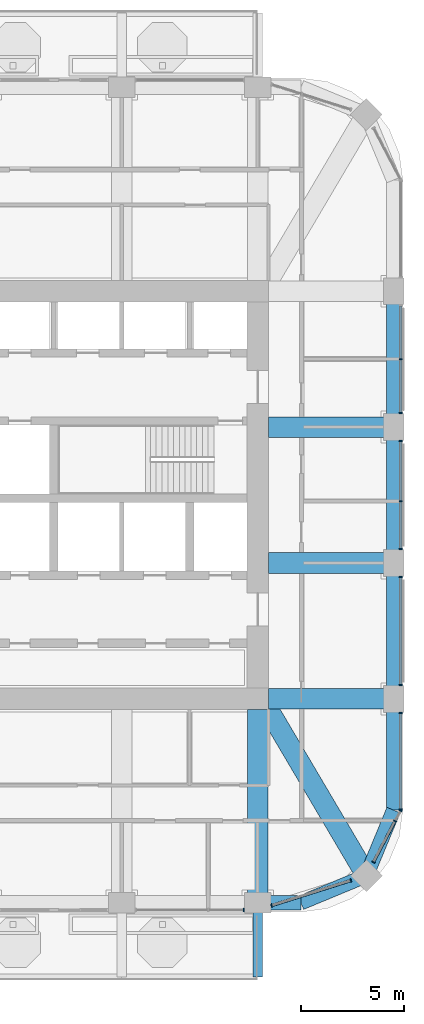
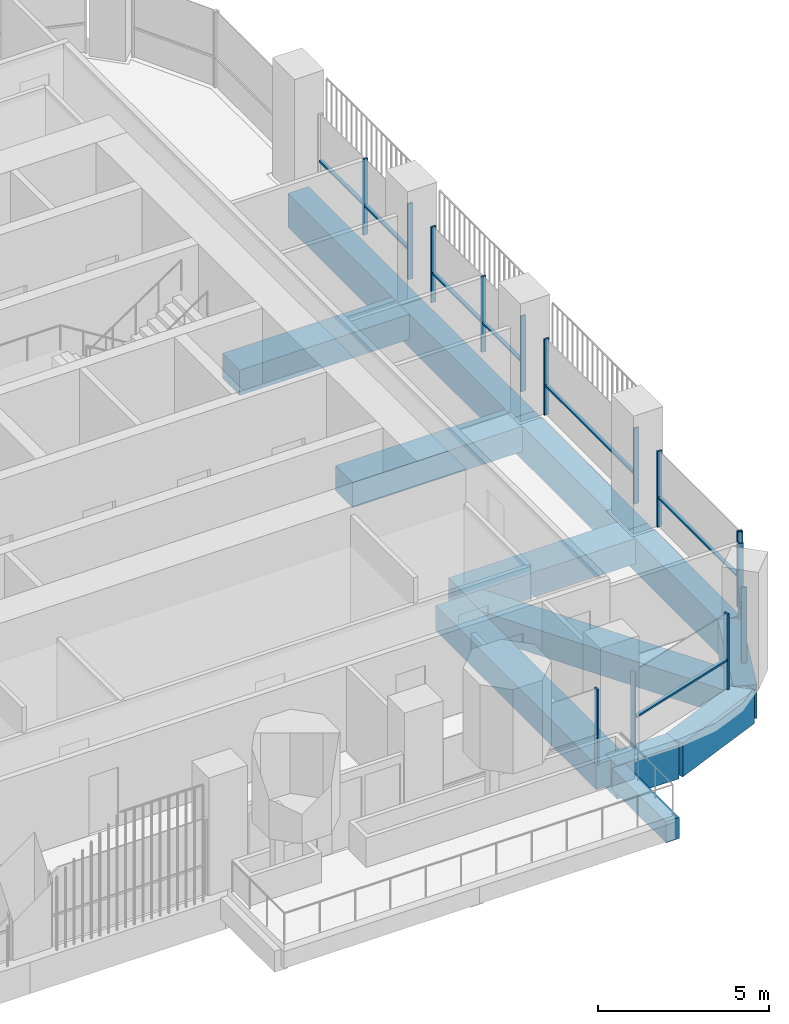
# One storey, part 5 of 20: 23 members, 13 beams, 7 elements without a shape of their own.
"""IFC4 building model written with IfcOpenShell, lengths in metres."""

from ifc_helpers import new_model, si_unit, direction, frame, origin, origin_2d, place, context, subcontext, project, spatial, rectangle, extrude, material, material_profile, profile_set, type_object, element, aggregate, save


model = new_model("IFC4")

# Units and contexts
model_context = context("Model", 3, precision=1e-05, world=origin(), true_north=direction((0.0, 1.0)))
body_context = subcontext(model_context, "Body", "Model", "MODEL_VIEW")
ifc_project = project(units=[si_unit("LENGTHUNIT", "METRE"), si_unit("AREAUNIT", "SQUARE_METRE"), si_unit("VOLUMEUNIT", "CUBIC_METRE"), si_unit("PLANEANGLEUNIT", "RADIAN"), si_unit("MASSUNIT", "GRAM", prefix="KILO")], contexts=[model_context])

# Site, building, storey
site_placement = place(None, origin())
site = spatial("IfcSite", under=ifc_project, at=site_placement, CompositionType="ELEMENT")
building_placement = place(site_placement, origin())
building = spatial("IfcBuilding", under=site, at=building_placement, Name="Cobogo Forest Laboratory Tower", CompositionType="ELEMENT")
storey_placement = place(building_placement, frame((0.0, 0.0, 233.39990234375)))
storey = spatial("IfcBuildingStorey", under=building, at=storey_placement, Name="L53", CompositionType="ELEMENT", Elevation=233.39990234375)

# Beam
ifc_material_1 = material(Name="Concrete HA-40 (C40/50)", Category="concrete")
ifc_material_profile_1 = material_profile(ifc_material_1, rectangle(XDim=0.449951171875, YDim=0.75, at=origin_2d()), Name="RC 450x750")
ifc_profile_set_1 = profile_set([ifc_material_profile_1], Name="Concrete HA-40 (C40/50)")
beam_type_1 = type_object("IfcBeamType", Name="Balcony cantilever beam 450x750", PredefinedType="BEAM", material=ifc_profile_set_1)
beam_1_placement = place(storey_placement, frame((39.60009765625, 2.85009765625, -0.625), z_axis=(0.0, -1.0, 0.0), x_axis=(1.0, 0.0, 0.0)))
element("IfcBeam", 1, at=beam_1_placement, inside=storey, type_object=beam_type_1, Name="CB1 BAL-S1-C3 L53", PredefinedType="BEAM", context=body_context, shape_type="SweptSolid", body=[
    extrude(rectangle(XDim=0.449951171875, YDim=0.75, at=origin_2d()), origin(), (0.0, 0.0, 1.0), 3.150146484375),
])

# Curtain wall, member
ifc_material_2 = material(Name="Aluminium curtain wall", Category="aluminium")
curtain_wall_type = type_object("IfcCurtainWallType", Name="CW-2 unitised curtain wall, solar control glazing, laboratory floors zones C and D", PredefinedType="USERDEFINED", material=ifc_material_2)
curtain_wall_1_placement = place(storey_placement, origin())
curtain_wall_1 = element("IfcCurtainWall", 2, at=curtain_wall_1_placement, inside=storey, type_object=curtain_wall_type, Name="Curtain wall 04 L53", ObjectType="UNITISED CURTAIN WALL", PredefinedType="USERDEFINED")
ifc_material_3 = material(Name="Aluminium mullion", Category="aluminium")
ifc_material_profile_2 = material_profile(ifc_material_3, rectangle(XDim=0.06005859375, YDim=0.159912109375, at=origin_2d()), Name="AL 60x160")
ifc_profile_set_2 = profile_set([ifc_material_profile_2], Name="Aluminium mullion")
member_type_1 = type_object("IfcMemberType", Name="MU-1 aluminium mullion 60x160", PredefinedType="MULLION", material=ifc_profile_set_2)
member_1_placement = place(storey_placement, frame((38.919921875, 2.949951171875, 0.0), z_axis=(0.0, 0.0, 1.0), x_axis=(1.0, 0.0, 0.0)))
member_1 = element("IfcMember", 3, at=member_1_placement, type_object=member_type_1, Name="CW-2 mullion 3", PredefinedType="MULLION", context=body_context, shape_type="SweptSolid", body=[
    extrude(rectangle(XDim=0.06005859375, YDim=0.159912109375, at=origin_2d()), origin(), (0.0, 0.0, 1.0), 2.7001953125),
])
aggregate(curtain_wall_1, [member_1])

# Curtain wall, members
curtain_wall_2_placement = place(storey_placement, origin())
curtain_wall_2 = element("IfcCurtainWall", 4, at=curtain_wall_2_placement, inside=storey, type_object=curtain_wall_type, Name="Curtain wall 05 L53", ObjectType="UNITISED CURTAIN WALL", PredefinedType="USERDEFINED")
member_2_placement = place(storey_placement, frame((40.278564453125, 3.164306640625, 0.0), z_axis=(0.0, 0.0, 1.0), x_axis=(0.953581331491, 0.301135591107, 0.0)))
member_2 = element("IfcMember", 5, at=member_2_placement, type_object=member_type_1, Name="CW-2 mullion 1", PredefinedType="MULLION", context=body_context, shape_type="SweptSolid", body=[
    extrude(rectangle(XDim=0.06005859375, YDim=0.159912109375, at=origin_2d()), origin(), (0.0, 0.0, 1.0), 2.7001953125),
])
member_3_placement = place(storey_placement, frame((44.12255859375, 4.378173828125, 0.0), z_axis=(0.0, 0.0, 1.0), x_axis=(0.953581331491, 0.301135591107, 0.0)))
member_3 = element("IfcMember", 6, at=member_3_placement, type_object=member_type_1, Name="CW-2 mullion 2", PredefinedType="MULLION", context=body_context, shape_type="SweptSolid", body=[
    extrude(rectangle(XDim=0.06005859375, YDim=0.159912109375, at=origin_2d()), origin(), (0.0, 0.0, 1.0), 2.7001953125),
])

curtain_wall_3_placement = place(storey_placement, origin())
curtain_wall_3 = element("IfcCurtainWall", 7, at=curtain_wall_3_placement, inside=storey, type_object=curtain_wall_type, Name="Curtain wall 06 L53", ObjectType="UNITISED CURTAIN WALL", PredefinedType="USERDEFINED")
member_4_placement = place(storey_placement, frame((45.2265625, 5.275634765625, 0.0), z_axis=(0.0, 0.0, 1.0), x_axis=(0.464283804832, 0.885686484356, 0.0)))
member_4 = element("IfcMember", 8, at=member_4_placement, type_object=member_type_1, Name="CW-2 mullion 1", PredefinedType="MULLION", context=body_context, shape_type="SweptSolid", body=[
    extrude(rectangle(XDim=0.06005859375, YDim=0.159912109375, at=origin_2d()), origin(), (0.0, 0.0, 1.0), 2.7001953125),
])
member_5_placement = place(storey_placement, frame((46.268310546875, 7.262939453125, 0.0), z_axis=(0.0, 0.0, 1.0), x_axis=(0.464283804832, 0.885686484356, 0.0)))
member_5 = element("IfcMember", 9, at=member_5_placement, type_object=member_type_1, Name="CW-2 mullion 2", PredefinedType="MULLION", context=body_context, shape_type="SweptSolid", body=[
    extrude(rectangle(XDim=0.06005859375, YDim=0.159912109375, at=origin_2d()), origin(), (0.0, 0.0, 1.0), 2.7001953125),
])
member_6_placement = place(storey_placement, frame((46.5361328125, 7.7734375, 0.0), z_axis=(0.0, 0.0, 1.0), x_axis=(0.464283804832, 0.885686484356, 0.0)))
member_6 = element("IfcMember", 10, at=member_6_placement, type_object=member_type_1, Name="CW-2 mullion 3", PredefinedType="MULLION", context=body_context, shape_type="SweptSolid", body=[
    extrude(rectangle(XDim=0.06005859375, YDim=0.159912109375, at=origin_2d()), origin(), (0.0, 0.0, 1.0), 2.7001953125),
])

curtain_wall_4_placement = place(storey_placement, origin())
curtain_wall_4 = element("IfcCurtainWall", 11, at=curtain_wall_4_placement, inside=storey, type_object=curtain_wall_type, Name="Curtain wall 07 L53", ObjectType="UNITISED CURTAIN WALL", PredefinedType="USERDEFINED")
member_7_placement = place(storey_placement, frame((46.550048828125, 7.830078125, 0.0), z_axis=(0.0, 0.0, 1.0), x_axis=(0.0, 1.0, 0.0)))
member_7 = element("IfcMember", 12, at=member_7_placement, type_object=member_type_1, Name="CW-2 mullion 1", PredefinedType="MULLION", context=body_context, shape_type="SweptSolid", body=[
    extrude(rectangle(XDim=0.06005859375, YDim=0.159912109375, at=origin_2d()), origin(), (0.0, 0.0, 1.0), 2.7001953125),
])
member_8_placement = place(storey_placement, frame((46.550048828125, 12.52001953125, 0.0), z_axis=(0.0, 0.0, 1.0), x_axis=(0.0, 1.0, 0.0)))
member_8 = element("IfcMember", 13, at=member_8_placement, type_object=member_type_1, Name="CW-2 mullion 2", PredefinedType="MULLION", context=body_context, shape_type="SweptSolid", body=[
    extrude(rectangle(XDim=0.06005859375, YDim=0.159912109375, at=origin_2d()), origin(), (0.0, 0.0, 1.0), 2.7001953125),
])

curtain_wall_5_placement = place(storey_placement, origin())
curtain_wall_5 = element("IfcCurtainWall", 14, at=curtain_wall_5_placement, inside=storey, type_object=curtain_wall_type, Name="Curtain wall 08 L53", ObjectType="UNITISED CURTAIN WALL", PredefinedType="USERDEFINED")
member_9_placement = place(storey_placement, frame((46.550048828125, 13.8798828125, 0.0), z_axis=(0.0, 0.0, 1.0), x_axis=(0.0, 1.0, 0.0)))
member_9 = element("IfcMember", 15, at=member_9_placement, type_object=member_type_1, Name="CW-2 mullion 1", PredefinedType="MULLION", context=body_context, shape_type="SweptSolid", body=[
    extrude(rectangle(XDim=0.06005859375, YDim=0.159912109375, at=origin_2d()), origin(), (0.0, 0.0, 1.0), 2.7001953125),
])
member_10_placement = place(storey_placement, frame((46.550048828125, 19.1201171875, 0.0), z_axis=(0.0, 0.0, 1.0), x_axis=(0.0, 1.0, 0.0)))
member_10 = element("IfcMember", 16, at=member_10_placement, type_object=member_type_1, Name="CW-2 mullion 2", PredefinedType="MULLION", context=body_context, shape_type="SweptSolid", body=[
    extrude(rectangle(XDim=0.06005859375, YDim=0.159912109375, at=origin_2d()), origin(), (0.0, 0.0, 1.0), 2.7001953125),
])

curtain_wall_6_placement = place(storey_placement, origin())
curtain_wall_6 = element("IfcCurtainWall", 17, at=curtain_wall_6_placement, inside=storey, type_object=curtain_wall_type, Name="Curtain wall 09 L53", ObjectType="UNITISED CURTAIN WALL", PredefinedType="USERDEFINED")
member_11_placement = place(storey_placement, frame((46.550048828125, 20.47998046875, 0.0), z_axis=(0.0, 0.0, 1.0), x_axis=(0.0, 1.0, 0.0)))
member_11 = element("IfcMember", 18, at=member_11_placement, type_object=member_type_1, Name="CW-2 mullion 1", PredefinedType="MULLION", context=body_context, shape_type="SweptSolid", body=[
    extrude(rectangle(XDim=0.06005859375, YDim=0.159912109375, at=origin_2d()), origin(), (0.0, 0.0, 1.0), 2.7001953125),
])
member_12_placement = place(storey_placement, frame((46.550048828125, 22.800048828125, 0.0), z_axis=(0.0, 0.0, 1.0), x_axis=(0.0, 1.0, 0.0)))
member_12 = element("IfcMember", 19, at=member_12_placement, type_object=member_type_1, Name="CW-2 mullion 2", PredefinedType="MULLION", context=body_context, shape_type="SweptSolid", body=[
    extrude(rectangle(XDim=0.06005859375, YDim=0.159912109375, at=origin_2d()), origin(), (0.0, 0.0, 1.0), 2.7001953125),
])
member_13_placement = place(storey_placement, frame((46.550048828125, 25.719970703125, 0.0), z_axis=(0.0, 0.0, 1.0), x_axis=(0.0, 1.0, 0.0)))
member_13 = element("IfcMember", 20, at=member_13_placement, type_object=member_type_1, Name="CW-2 mullion 3", PredefinedType="MULLION", context=body_context, shape_type="SweptSolid", body=[
    extrude(rectangle(XDim=0.06005859375, YDim=0.159912109375, at=origin_2d()), origin(), (0.0, 0.0, 1.0), 2.7001953125),
])

curtain_wall_7_placement = place(storey_placement, origin())
curtain_wall_7 = element("IfcCurtainWall", 21, at=curtain_wall_7_placement, inside=storey, type_object=curtain_wall_type, Name="Curtain wall 10 L53", ObjectType="UNITISED CURTAIN WALL", PredefinedType="USERDEFINED")
member_14_placement = place(storey_placement, frame((46.550048828125, 27.080078125, 0.0), z_axis=(0.0, 0.0, 1.0), x_axis=(0.0, 1.0, 0.0)))
member_14 = element("IfcMember", 22, at=member_14_placement, type_object=member_type_1, Name="CW-2 mullion 1", PredefinedType="MULLION", context=body_context, shape_type="SweptSolid", body=[
    extrude(rectangle(XDim=0.06005859375, YDim=0.159912109375, at=origin_2d()), origin(), (0.0, 0.0, 1.0), 2.7001953125),
])
member_15_placement = place(storey_placement, frame((46.550048828125, 29.699951171875, 0.0), z_axis=(0.0, 0.0, 1.0), x_axis=(0.0, 1.0, 0.0)))
member_15 = element("IfcMember", 23, at=member_15_placement, type_object=member_type_1, Name="CW-2 mullion 2", PredefinedType="MULLION", context=body_context, shape_type="SweptSolid", body=[
    extrude(rectangle(XDim=0.06005859375, YDim=0.159912109375, at=origin_2d()), origin(), (0.0, 0.0, 1.0), 2.7001953125),
])

# Beams
ifc_material_profile_3 = material_profile(ifc_material_1, rectangle(XDim=1.0, YDim=0.89990234375, at=origin_2d()), Name="RC 1000x900")
ifc_profile_set_3 = profile_set([ifc_material_profile_3], Name="Concrete HA-40 (C40/50)")
beam_type_2 = type_object("IfcBeamType", Name="Office floor wide beam 1000x900", PredefinedType="BEAM", material=ifc_profile_set_3)
beam_2_placement = place(storey_placement, frame((39.60009765625, 12.675048828125, -0.75), z_axis=(0.0, -1.0, 0.0), x_axis=(1.0, 0.0, 0.0)))
element("IfcBeam", 24, at=beam_2_placement, inside=storey, type_object=beam_type_2, Name="RB2 R-7-S L53", PredefinedType="BEAM", context=body_context, shape_type="SweptSolid", body=[
    extrude(rectangle(XDim=1.0, YDim=0.89990234375, at=origin_2d()), origin(), (0.0, 0.0, 1.0), 9.375),
])
for number, where, z_axis, x_axis, name in (
    (25, (40.125, 13.199951171875, -0.75), (1.0, 0.0, 0.0), (0.0, 1.0, 0.0), "RB2 R-C-E L53"),
    (26, (40.125, 19.800048828125, -0.75), (1.0, 0.0, 0.0), (0.0, 1.0, 0.0), "RB2 R-D-E L53"),
    (27, (40.125, 26.39990234375, -0.75), (1.0, 0.0, 0.0), (0.0, 1.0, 0.0), "RB2 R-E-E L53"),
):
    element("IfcBeam", number, at=place(storey_placement, frame(where, z_axis=z_axis, x_axis=x_axis)), inside=storey, type_object=beam_type_2, Name=name, PredefinedType="BEAM", context=body_context, shape_type="SweptSolid", body=[
        extrude(rectangle(XDim=1.0, YDim=0.89990234375, at=origin_2d()), origin(), (0.0, 0.0, 1.0), 6.074951171875),
    ])
beam_3_placement = place(storey_placement, frame((44.882080078125, 4.617919921875, -0.75), z_axis=(-0.508416325908, 0.861111397875, 0.0), x_axis=(-0.861111397875, -0.508416325908, 0.0)))
element("IfcBeam", 28, at=beam_3_placement, inside=storey, type_object=beam_type_2, Name="RB2 G-SE-D1 L53", PredefinedType="BEAM", context=body_context, shape_type="SweptSolid", body=[
    extrude(rectangle(XDim=1.0, YDim=0.89990234375, at=origin_2d()), origin(), (0.0, 0.0, 1.0), 9.356689453125),
])
ifc_material_profile_4 = material_profile(ifc_material_1, rectangle(XDim=0.699951171875, YDim=1.199951171875, at=origin_2d()), Name="RC 700x1200")
ifc_profile_set_4 = profile_set([ifc_material_profile_4], Name="Concrete HA-40 (C40/50)")
beam_type_3 = type_object("IfcBeamType", Name="Perimeter edge beam 700x1200", PredefinedType="BEAM", material=ifc_profile_set_4)
beam_4_placement = place(storey_placement, frame((46.199951171875, 13.199951171875, -0.89990234375), z_axis=(0.0, 1.0, 0.0), x_axis=(-1.0, 0.0, 0.0)))
element("IfcBeam", 29, at=beam_4_placement, inside=storey, type_object=beam_type_3, Name="EB1 E-E1 L53", PredefinedType="BEAM", context=body_context, shape_type="SweptSolid", body=[
    extrude(rectangle(XDim=0.699951171875, YDim=1.199951171875, at=origin_2d()), origin(), (0.0, 0.0, 1.0), 6.60009765625),
])
beam_5_placement = place(storey_placement, frame((46.199951171875, 19.800048828125, -0.89990234375), z_axis=(0.0, 1.0, 0.0), x_axis=(-1.0, 0.0, 0.0)))
element("IfcBeam", 30, at=beam_5_placement, inside=storey, type_object=beam_type_3, Name="EB1 E-E2 L53", PredefinedType="BEAM", context=body_context, shape_type="SweptSolid", body=[
    extrude(rectangle(XDim=0.699951171875, YDim=1.199951171875, at=origin_2d()), origin(), (0.0, 0.0, 1.0), 6.599853515625),
])
beam_6_placement = place(storey_placement, frame((46.199951171875, 26.39990234375, -0.89990234375), z_axis=(0.0, 1.0, 0.0), x_axis=(-1.0, 0.0, 0.0)))
element("IfcBeam", 31, at=beam_6_placement, inside=storey, type_object=beam_type_3, Name="EB1 E-E3 L53", PredefinedType="BEAM", context=body_context, shape_type="SweptSolid", body=[
    extrude(rectangle(XDim=0.699951171875, YDim=1.199951171875, at=origin_2d()), origin(), (0.0, 0.0, 1.0), 6.60009765625),
])
beam_7_placement = place(storey_placement, frame((39.60009765625, 3.300048828125, -0.89990234375), z_axis=(1.0, 0.0, 0.0), x_axis=(0.0, 1.0, 0.0)))
element("IfcBeam", 32, at=beam_7_placement, inside=storey, type_object=beam_type_3, Name="EB1 E-SES1 L53", PredefinedType="BEAM", context=body_context, shape_type="SweptSolid", body=[
    extrude(rectangle(XDim=0.699951171875, YDim=1.199951171875, at=origin_2d()), origin(), (0.0, 0.0, 1.0), 2.099853515625),
])
beam_8_placement = place(storey_placement, frame((41.699951171875, 3.300048828125, -0.89990234375), z_axis=(0.923901072997, 0.382631424892, 0.0), x_axis=(-0.382631424892, 0.923901072997, 0.0)))
element("IfcBeam", 33, at=beam_8_placement, inside=storey, type_object=beam_type_3, Name="EB1 E-SES2 L53", PredefinedType="BEAM", context=body_context, shape_type="SweptSolid", body=[
    extrude(rectangle(XDim=0.699951171875, YDim=1.199951171875, at=origin_2d()), origin(), (0.0, 0.0, 1.0), 3.4443359375),
])
beam_9_placement = place(storey_placement, frame((46.199951171875, 13.199951171875, -0.89990234375), z_axis=(0.0, -1.0, 0.0), x_axis=(1.0, 0.0, 0.0)))
element("IfcBeam", 34, at=beam_9_placement, inside=storey, type_object=beam_type_3, Name="EB1 E-SEE1 L53", PredefinedType="BEAM", context=body_context, shape_type="SweptSolid", body=[
    extrude(rectangle(XDim=0.699951171875, YDim=1.199951171875, at=origin_2d()), origin(), (0.0, 0.0, 1.0), 5.39990234375),
])
beam_10_placement = place(storey_placement, frame((46.199951171875, 7.800048828125, -0.89990234375), z_axis=(-0.382631424892, -0.923901072997, 0.0), x_axis=(0.923901072997, -0.382631424892, 0.0)))
element("IfcBeam", 35, at=beam_10_placement, inside=storey, type_object=beam_type_3, Name="EB1 E-SEE2 L53", PredefinedType="BEAM", context=body_context, shape_type="SweptSolid", body=[
    extrude(rectangle(XDim=0.699951171875, YDim=1.199951171875, at=origin_2d()), origin(), (0.0, 0.0, 1.0), 3.4443359375),
])

# Member
ifc_material_4 = material(Name="Aluminium transom", Category="aluminium")
ifc_material_profile_5 = material_profile(ifc_material_4, rectangle(XDim=0.1201171875, YDim=0.06005859375, at=origin_2d()), Name="AL 60x120")
ifc_profile_set_5 = profile_set([ifc_material_profile_5], Name="Aluminium transom")
member_type_2 = type_object("IfcMemberType", Name="TR-1 aluminium transom 60x120", PredefinedType="USERDEFINED", material=ifc_profile_set_5)
member_16_placement = place(storey_placement, frame((40.30712890625, 3.17333984375, 1.050048828125), z_axis=(0.95358638162, 0.301119598812, 0.0), x_axis=(-0.301119598812, 0.95358638162, 0.0)))
member_16 = element("IfcMember", 36, at=member_16_placement, type_object=member_type_2, Name="CW-2 transom 1.1", ObjectType="TRANSOM", PredefinedType="USERDEFINED", context=body_context, shape_type="SweptSolid", body=[
    extrude(rectangle(XDim=0.1201171875, YDim=0.06005859375, at=origin_2d()), origin(), (0.0, 0.0, 1.0), 3.97119140625),
])

aggregate(curtain_wall_2, [member_2, member_3, member_16])

member_17_placement = place(storey_placement, frame((45.240478515625, 5.302001953125, 1.050048828125), z_axis=(0.464257605101, 0.885700217967, 0.0), x_axis=(-0.885700217967, 0.464257605101, 0.0)))
member_17 = element("IfcMember", 37, at=member_17_placement, type_object=member_type_2, Name="CW-2 transom 1.1", ObjectType="TRANSOM", PredefinedType="USERDEFINED", context=body_context, shape_type="SweptSolid", body=[
    extrude(rectangle(XDim=0.1201171875, YDim=0.06005859375, at=origin_2d()), origin(), (0.0, 0.0, 1.0), 2.183837890625),
])

aggregate(curtain_wall_3, [member_4, member_5, member_6, member_17])

member_18_placement = place(storey_placement, frame((46.550048828125, 7.860107421875, 1.050048828125), z_axis=(0.0, 1.0, 0.0), x_axis=(-1.0, 0.0, 0.0)))
member_18 = element("IfcMember", 38, at=member_18_placement, type_object=member_type_2, Name="CW-2 transom 1.1", ObjectType="TRANSOM", PredefinedType="USERDEFINED", context=body_context, shape_type="SweptSolid", body=[
    extrude(rectangle(XDim=0.1201171875, YDim=0.06005859375, at=origin_2d()), origin(), (0.0, 0.0, 1.0), 4.6298828125),
])

aggregate(curtain_wall_4, [member_7, member_8, member_18])

member_19_placement = place(storey_placement, frame((46.550048828125, 13.909912109375, 1.050048828125), z_axis=(0.0, 1.0, 0.0), x_axis=(-1.0, 0.0, 0.0)))
member_19 = element("IfcMember", 39, at=member_19_placement, type_object=member_type_2, Name="CW-2 transom 1.1", ObjectType="TRANSOM", PredefinedType="USERDEFINED", context=body_context, shape_type="SweptSolid", body=[
    extrude(rectangle(XDim=0.1201171875, YDim=0.06005859375, at=origin_2d()), origin(), (0.0, 0.0, 1.0), 5.18017578125),
])

aggregate(curtain_wall_5, [member_9, member_10, member_19])

member_20_placement = place(storey_placement, frame((46.550048828125, 20.510009765625, 1.050048828125), z_axis=(0.0, 1.0, 0.0), x_axis=(-1.0, 0.0, 0.0)))
member_20 = element("IfcMember", 40, at=member_20_placement, type_object=member_type_2, Name="CW-2 transom 1.1", ObjectType="TRANSOM", PredefinedType="USERDEFINED", context=body_context, shape_type="SweptSolid", body=[
    extrude(rectangle(XDim=0.1201171875, YDim=0.06005859375, at=origin_2d()), origin(), (0.0, 0.0, 1.0), 2.260009765625),
])

member_21_placement = place(storey_placement, frame((46.550048828125, 22.830078125, 1.050048828125), z_axis=(0.0, 1.0, 0.0), x_axis=(-1.0, 0.0, 0.0)))
member_21 = element("IfcMember", 41, at=member_21_placement, type_object=member_type_2, Name="CW-2 transom 2.1", ObjectType="TRANSOM", PredefinedType="USERDEFINED", context=body_context, shape_type="SweptSolid", body=[
    extrude(rectangle(XDim=0.1201171875, YDim=0.06005859375, at=origin_2d()), origin(), (0.0, 0.0, 1.0), 2.85986328125),
])

aggregate(curtain_wall_6, [member_11, member_12, member_13, member_20, member_21])

member_22_placement = place(storey_placement, frame((46.550048828125, 27.110107421875, 1.050048828125), z_axis=(0.0, 1.0, 0.0), x_axis=(-1.0, 0.0, 0.0)))
member_22 = element("IfcMember", 42, at=member_22_placement, type_object=member_type_2, Name="CW-2 transom 1.1", ObjectType="TRANSOM", PredefinedType="USERDEFINED", context=body_context, shape_type="SweptSolid", body=[
    extrude(rectangle(XDim=0.1201171875, YDim=0.06005859375, at=origin_2d()), origin(), (0.0, 0.0, 1.0), 2.559814453125),
])

member_23_placement = place(storey_placement, frame((46.550048828125, 29.72998046875, 1.050048828125), z_axis=(0.0, 1.0, 0.0), x_axis=(-1.0, 0.0, 0.0)))
member_23 = element("IfcMember", 43, at=member_23_placement, type_object=member_type_2, Name="CW-2 transom 2.1", ObjectType="TRANSOM", PredefinedType="USERDEFINED", context=body_context, shape_type="SweptSolid", body=[
    extrude(rectangle(XDim=0.1201171875, YDim=0.06005859375, at=origin_2d()), origin(), (0.0, 0.0, 1.0), 2.56005859375),
])

aggregate(curtain_wall_7, [member_14, member_15, member_22, member_23])

save(model, "model.ifc")
